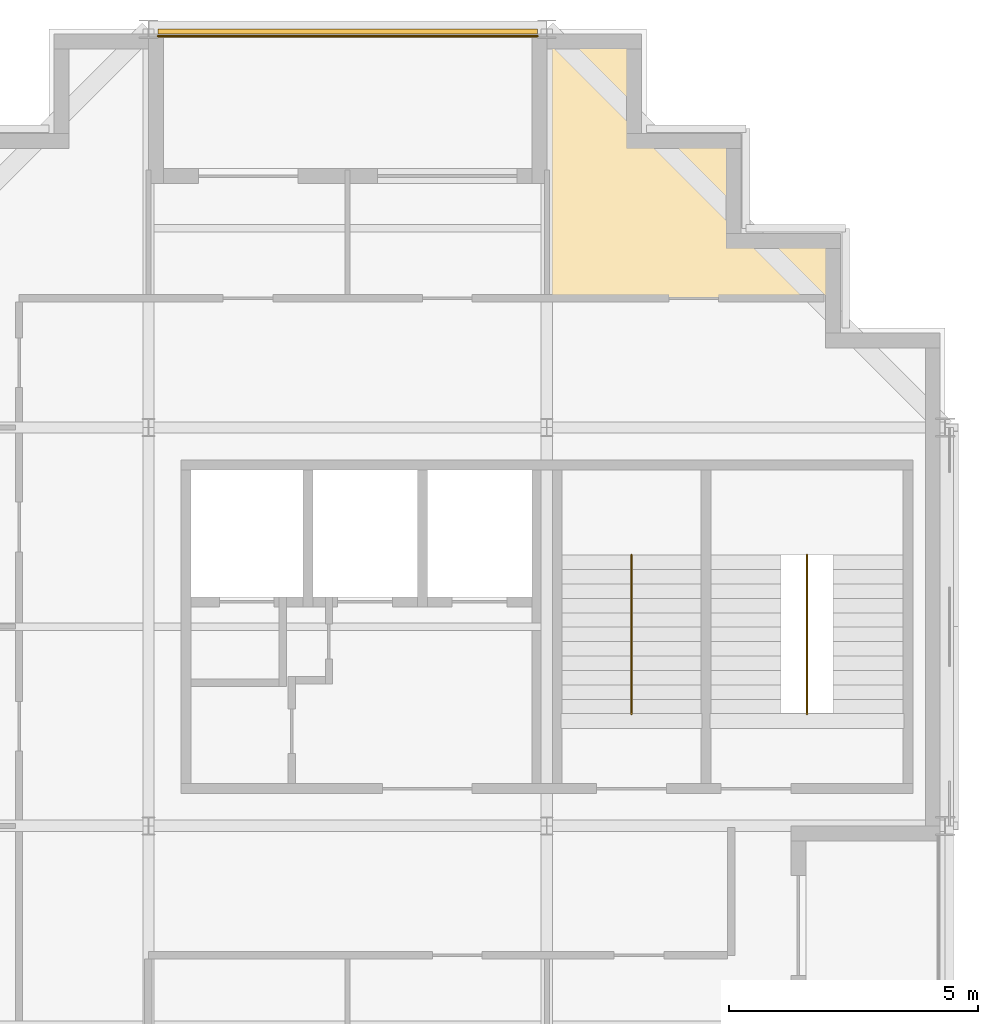
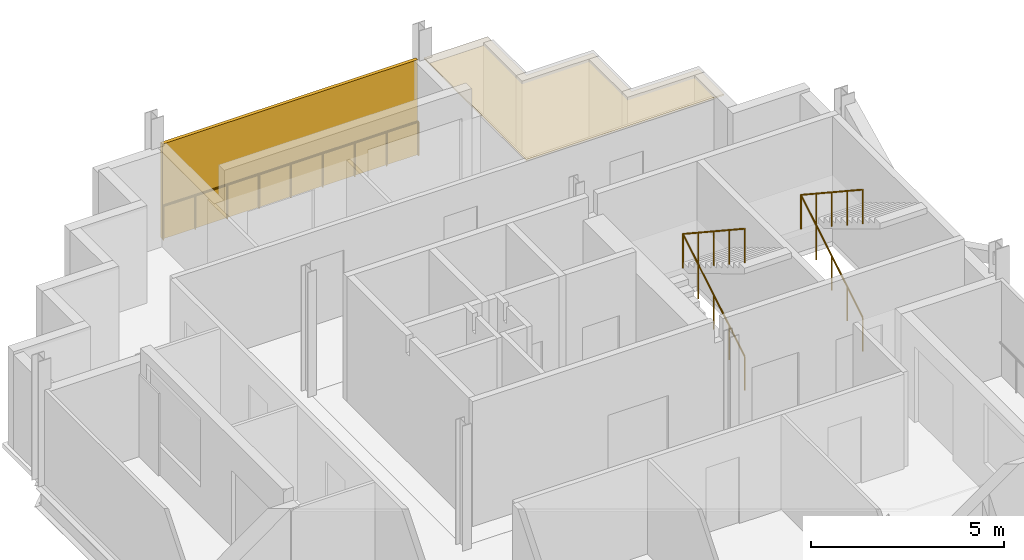
# One storey, part 11 of 12: 3 railings, 1 covering, 1 shading device.
"""IFC4 building model written with IfcOpenShell, lengths in metres."""

from ifc_helpers import new_model, si_unit, direction, frame, origin, origin_2d, place, context, subcontext, project, spatial, polyline, rectangle, circle, outline, extrude, material, layer, layer_set, type_object, element, save


model = new_model("IFC4")

# Units and contexts
model_context = context("Model", 3, precision=1e-05, world=origin(), true_north=direction((0.0, 1.0)))
body_context = subcontext(model_context, "Body", "Model", "MODEL_VIEW")
ifc_project = project(units=[si_unit("LENGTHUNIT", "METRE"), si_unit("AREAUNIT", "SQUARE_METRE"), si_unit("VOLUMEUNIT", "CUBIC_METRE"), si_unit("PLANEANGLEUNIT", "RADIAN"), si_unit("MASSUNIT", "GRAM", prefix="KILO")], contexts=[model_context])

# Site, building, storey
site_placement = place(None, origin())
site = spatial("IfcSite", under=ifc_project, at=site_placement, CompositionType="ELEMENT")
building_placement = place(site_placement, origin())
building = spatial("IfcBuilding", under=site, at=building_placement, Name="Immortelle Media Tower", CompositionType="ELEMENT")
storey_placement = place(building_placement, frame((0.0, 0.0, 178.800048828125)))
storey = spatial("IfcBuildingStorey", under=building, at=storey_placement, Name="L37", CompositionType="ELEMENT", Elevation=178.800048828125)

# Railing
ifc_material_1 = material(Name="Powder-coated aluminium fretwork panel, laminated glass backing", Category="aluminium")
railing_type_1 = type_object("IfcRailingType", Name="Fretwork balustrade 1100", PredefinedType="BALUSTRADE", material=ifc_material_1)
railing_placement = place(storey_placement, frame((15.8134765625, 47.860107421875, 0.0)))
element("IfcRailing", 1, at=railing_placement, inside=storey, type_object=railing_type_1, Name="Fretwork balustrade L37 N0", PredefinedType="BALUSTRADE", context=body_context, shape_type="SweptSolid", body=[
    extrude(circle(Radius=0.02490234375, at=origin_2d()), frame((0.0, 0.0, 1.0751953125), z_axis=(-1.0, 0.0, 0.0), x_axis=(0.0, -1.0, 0.0)), (0.0, 0.0, 1.0), 7.626953125),
    extrude(circle(Radius=0.02001953125, at=origin_2d()), origin(), (0.0, 0.0, 1.0), 1.050048828125),
    extrude(circle(Radius=0.02001953125, at=origin_2d()), frame((-0.953369140625, 0.0, 0.0)), (0.0, 0.0, 1.0), 1.050048828125),
    extrude(circle(Radius=0.02001953125, at=origin_2d()), frame((-1.90673828125, 0.0, 0.0)), (0.0, 0.0, 1.0), 1.050048828125),
    extrude(circle(Radius=0.02001953125, at=origin_2d()), frame((-2.860107421875, 0.0, 0.0)), (0.0, 0.0, 1.0), 1.050048828125),
    extrude(circle(Radius=0.02001953125, at=origin_2d()), frame((-3.8134765625, 0.0, 0.0)), (0.0, 0.0, 1.0), 1.050048828125),
    extrude(circle(Radius=0.02001953125, at=origin_2d()), frame((-4.766845703125, 0.0, 0.0)), (0.0, 0.0, 1.0), 1.050048828125),
    extrude(circle(Radius=0.02001953125, at=origin_2d()), frame((-5.72021484375, 0.0, 0.0)), (0.0, 0.0, 1.0), 1.050048828125),
    extrude(circle(Radius=0.02001953125, at=origin_2d()), frame((-6.673583984375, 0.0, 0.0)), (0.0, 0.0, 1.0), 1.050048828125),
    extrude(circle(Radius=0.02001953125, at=origin_2d()), frame((-7.626953125, 0.0, 0.0)), (0.0, 0.0, 1.0), 1.050048828125),
])

# Shading device
ifc_material_2 = material(Name="Pale aluminium louvre blades", Category="aluminium")
ifc_layer_1 = layer(ifc_material_2, 0.10009765625)
ifc_layer_set_1 = layer_set([ifc_layer_1], Name="Pale aluminium louvre blades")
shading_device_type = type_object("IfcShadingDeviceType", Name="Jalousie screen 100", PredefinedType="JALOUSIE", material=ifc_layer_set_1)
shading_device_placement = place(storey_placement, frame((12.0, 47.949951171875, 0.0), z_axis=(0.0, 0.0, 1.0), x_axis=(-1.0, 0.0, 0.0)))
element("IfcShadingDevice", 2, at=shading_device_placement, inside=storey, type_object=shading_device_type, Name="Jalousie screen L37 N0", PredefinedType="JALOUSIE", context=body_context, shape_type="SweptSolid", body=[
    extrude(rectangle(XDim=7.626953125, YDim=0.10009765625, at=origin_2d()), origin(), (0.0, 0.0, 1.0), 3.0),
])

# Railings
ifc_material_3 = material(Name="Stainless steel AISI 316", Category="steel")
railing_type_2 = type_object("IfcRailingType", Name="Stair guard 1100", PredefinedType="GUARDRAIL", material=ifc_material_3)
for number, where, name in (
    (3, (17.699951171875, 34.25, 0.175048828125), "Stair guard NW1"),
    (4, (21.22509765625, 34.25, 0.175048828125), "Stair guard NW2"),
):
    element("IfcRailing", number, at=place(storey_placement, frame(where)), inside=storey, type_object=railing_type_2, Name=name, PredefinedType="GUARDRAIL", context=body_context, shape_type="SweptSolid", body=[
        extrude(circle(Radius=0.02392578125, at=origin_2d()), frame((0.0, 0.0, 1.076171875), z_axis=(0.0, 0.856206652436, 0.516633495163), x_axis=(-1.0, 0.0, 0.0)), (0.0, 0.0, 1.0), 3.7255859375),
        extrude(circle(Radius=0.02392578125, at=origin_2d()), frame((0.0, 3.18994140625, 3.0009765625), z_axis=(0.0, -0.835242474824, 0.549881812983), x_axis=(1.0, 0.0, 0.0)), (0.0, 0.0, 1.0), 3.819091796875),
        extrude(circle(Radius=0.02099609375, at=origin_2d()), origin(), (0.0, 0.0, 1.0), 1.052001953125),
        extrude(circle(Radius=0.02099609375, at=origin_2d()), frame((0.0, 0.79736328125, 0.481201171875)), (0.0, 0.0, 1.0), 1.052001953125),
        extrude(circle(Radius=0.02099609375, at=origin_2d()), frame((0.0, 1.594970703125, 0.96240234375)), (0.0, 0.0, 1.0), 1.052001953125),
        extrude(circle(Radius=0.02099609375, at=origin_2d()), frame((0.0, 2.392578125, 1.443603515625)), (0.0, 0.0, 1.0), 1.052001953125),
        extrude(circle(Radius=0.02099609375, at=origin_2d()), frame((0.0, 3.18994140625, 1.9248046875)), (0.0, 0.0, 1.0), 1.052001953125),
        extrude(circle(Radius=0.02099609375, at=origin_2d()), frame((0.0, 2.392578125, 2.44970703125)), (0.0, 0.0, 1.0), 1.052001953125),
        extrude(circle(Radius=0.02099609375, at=origin_2d()), frame((0.0, 1.594970703125, 2.974853515625)), (0.0, 0.0, 1.0), 1.052001953125),
        extrude(circle(Radius=0.02099609375, at=origin_2d()), frame((0.0, 0.79736328125, 3.5)), (0.0, 0.0, 1.0), 1.052001953125),
        extrude(circle(Radius=0.02099609375, at=origin_2d()), frame((0.0, 0.0, 4.02490234375)), (0.0, 0.0, 1.0), 1.052001953125),
    ])

# Covering
ifc_material_4 = material(Name="Mineral fibre tile ceiling")
ifc_layer_2 = layer(ifc_material_4, 0.050048828125)
ifc_layer_set_2 = layer_set([ifc_layer_2], Name="Mineral fibre tile ceiling")
covering_type = type_object("IfcCoveringType", Name="Suspended ceiling 50", PredefinedType="CEILING", material=ifc_layer_set_2)
covering_placement = place(storey_placement, frame((0.0, 0.0, 2.94384765625)))
element("IfcCovering", 5, at=covering_placement, inside=storey, type_object=covering_type, Name="Ceiling L37-022", PredefinedType="CEILING", context=body_context, shape_type="SweptSolid", body=[
    extrude(outline(polyline([(17.89990234375, 45.89990234375), (19.89990234375, 45.89990234375), (19.89990234375, 43.89990234375), (21.89990234375, 43.89990234375), (21.89990234375, 42.60009765625), (16.0, 42.60009765625), (16.0, 45.199951171875), (16.0, 47.89990234375), (17.89990234375, 47.89990234375), (17.89990234375, 45.89990234375)])), origin(), (0.0, 0.0, 1.0), 0.050048828125),
])

save(model, "model.ifc")
